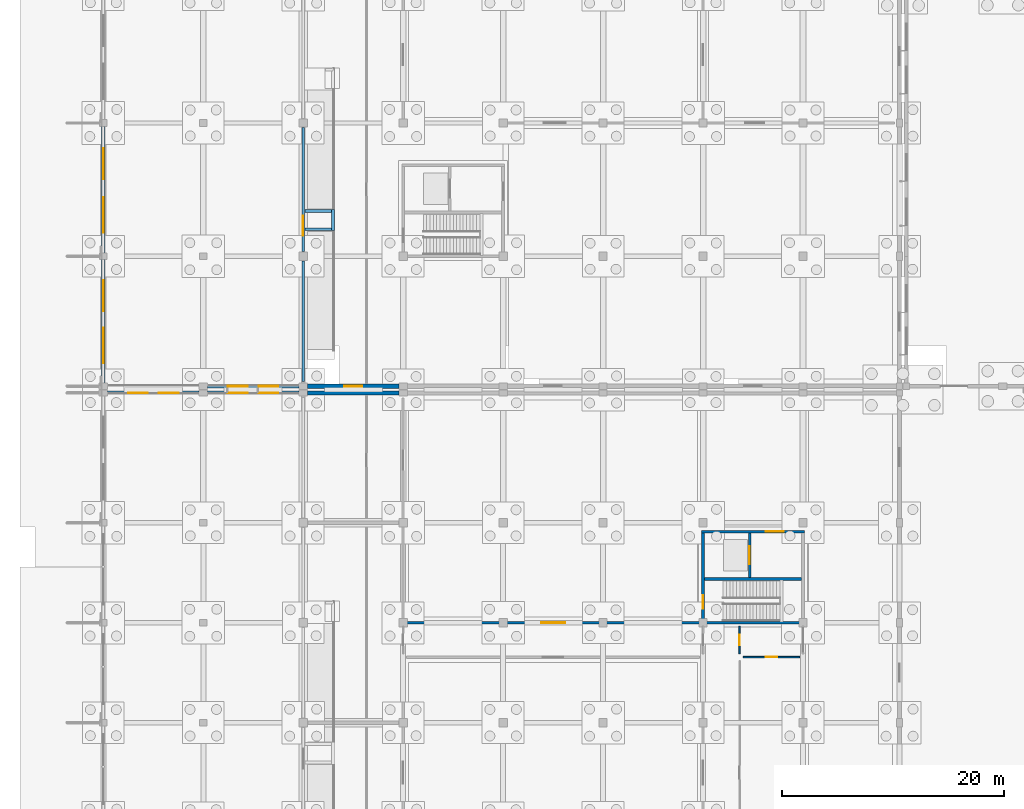
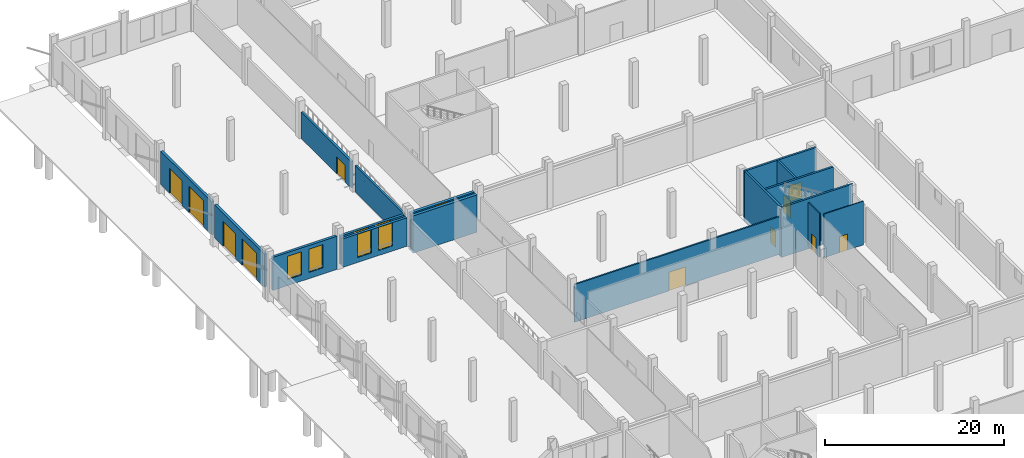
# One storey, part 61 of 99: 20 walls, 11 doors, 7 windows, 18 openings.
"""IFC4 building model written with IfcOpenShell, lengths in metres."""

from ifc_helpers import new_model, si_unit, direction, frame, frame_2d, origin, place, context, subcontext, project, spatial, rectangle, extrude, material, layer, layer_set, type_object, element, fill, save


model = new_model("IFC4")

# Units and contexts
model_context = context("Model", 3, precision=1e-05, world=origin(), true_north=direction((0.0, 1.0)))
body_context = subcontext(model_context, "Body", "Model", "MODEL_VIEW")
ifc_project = project(units=[si_unit("LENGTHUNIT", "METRE"), si_unit("AREAUNIT", "SQUARE_METRE"), si_unit("VOLUMEUNIT", "CUBIC_METRE"), si_unit("PLANEANGLEUNIT", "RADIAN"), si_unit("MASSUNIT", "GRAM", prefix="KILO")], contexts=[model_context])

# Site, building, storey
site_placement = place(None, origin())
site = spatial("IfcSite", under=ifc_project, at=site_placement, CompositionType="ELEMENT")
building_placement = place(site_placement, origin())
building = spatial("IfcBuilding", under=site, at=building_placement, Name="Zacnel Wholesale Market", CompositionType="ELEMENT")
storey_placement = place(building_placement, origin())
storey = spatial("IfcBuildingStorey", under=building, at=storey_placement, Name="L01", CompositionType="ELEMENT", Elevation=0.0)

# Wall, opening, door
ifc_material_1 = material(Name="PIR insulated cold-store panel")
ifc_layer_1 = layer(ifc_material_1, 0.195068359375)
ifc_layer_set_1 = layer_set([ifc_layer_1], Name="PIR insulated cold-store panel")
wall_type_1 = type_object("IfcWallType", Name="WL-COLD-INT195", PredefinedType="STANDARD", material=ifc_layer_set_1)
wall_1_placement = place(storey_placement, frame((27.300048828125, 75.0, 0.0), z_axis=(0.0, 0.0, 1.0), x_axis=(1.0, 0.0, 0.0)))
wall_1 = element("IfcWall", 1, at=wall_1_placement, inside=storey, type_object=wall_type_1, Name="Interior partition L01-0008", PredefinedType="STANDARD", context=body_context, shape_type="SweptSolid", body=[
    extrude(rectangle(XDim=26.39990234375, YDim=0.195068359375, at=frame_2d((13.199951171875, 0.0))), origin(), (0.0, 0.0, 1.0), 5.1298828125),
])
opening_1_placement = place(wall_1_placement, frame((12.125, 0.0, 0.0)))
opening_1 = element("IfcOpeningElement", 2, at=opening_1_placement, cuts=wall_1, Name="Opening CD-04", PredefinedType="OPENING", context=body_context, shape_type="SweptSolid", body=[
    extrude(rectangle(XDim=2.14990234375, YDim=2.550048828125, at=frame_2d((1.074951171875, 1.27490234375))), frame((0.0, 0.107421875, 0.0), z_axis=(0.0, -1.0, 0.0), x_axis=(1.0, 0.0, 0.0)), (0.0, 0.0, 1.0), 0.215087890625),
])
ifc_material_2 = material(Name="Galvanized steel", Category="steel")
door_type_1 = type_object("IfcDoorType", Name="DR-COLD-SLIDE-2150", OperationType="NOTDEFINED", PredefinedType="DOOR", material=ifc_material_2)
door_1_placement = place(opening_1_placement, origin())
door_1 = element("IfcDoor", 3, at=door_1_placement, inside=storey, type_object=door_type_1, Name="Interior door L01-0008", OperationType="SLIDING_TO_LEFT", OverallHeight=2.550048828125, OverallWidth=2.14990234375, PredefinedType="DOOR", context=body_context, shape_type="SweptSolid", body=[
    extrude(rectangle(XDim=2.14990234375, YDim=2.550048828125, at=frame_2d((1.074951171875, 1.27490234375))), frame((0.0, 0.02490234375, 0.0), z_axis=(0.0, -1.0, 0.0), x_axis=(1.0, 0.0, 0.0)), (0.0, 0.0, 1.0), 0.050048828125),
])
fill(opening_1, door_1)

# Wall
ifc_material_3 = material(Name="Concrete C40/50", Category="concrete")
ifc_layer_2 = layer(ifc_material_3, 0.2548828125)
ifc_layer_set_2 = layer_set([ifc_layer_2], Name="Concrete C40/50")
wall_type_2 = type_object("IfcWallType", Name="WL-COMP-FW250", PredefinedType="STANDARD", material=ifc_layer_set_2)
wall_2_placement = place(storey_placement, frame((18.0, 96.719970703125, 1.22509765625), z_axis=(0.0, 0.0, 1.0), x_axis=(0.0, 1.0, 0.0)))
element("IfcWall", 4, at=wall_2_placement, inside=storey, type_object=wall_type_2, Name="EI-120 fire compartment barrier wall 11", PredefinedType="STANDARD", context=body_context, shape_type="SweptSolid", body=[
    extrude(rectangle(XDim=10.860107421875, YDim=0.2548828125, at=frame_2d((5.43017578125, 0.0))), origin(), (0.0, 0.0, 1.0), 3.60498046875),
])

# Wall, opening, door
wall_3_placement = place(storey_placement, frame((18.0, 108.419921875, 1.22509765625), z_axis=(0.0, 0.0, 1.0), x_axis=(0.0, 1.0, 0.0)))
wall_3 = element("IfcWall", 5, at=wall_3_placement, inside=storey, type_object=wall_type_2, Name="EI-120 fire compartment barrier wall 12", PredefinedType="STANDARD", context=body_context, shape_type="SweptSolid", body=[
    extrude(rectangle(XDim=11.16015625, YDim=0.2548828125, at=frame_2d((5.580078125, 0.0))), origin(), (0.0, 0.0, 1.0), 3.60498046875),
])
opening_2_placement = place(wall_3_placement, frame((1.429931640625, 0.0, 0.0)))
opening_2 = element("IfcOpeningElement", 6, at=opening_2_placement, cuts=wall_3, Name="Opening FD-03", PredefinedType="OPENING", context=body_context, shape_type="SweptSolid", body=[
    extrude(rectangle(XDim=1.800048828125, YDim=2.300048828125, at=frame_2d((0.89990234375, 1.14990234375))), frame((0.0, 0.137451171875, 0.0), z_axis=(0.0, -1.0, 0.0), x_axis=(1.0, 0.0, 0.0)), (0.0, 0.0, 1.0), 0.27490234375),
])
ifc_material_4 = material(Name="Galvanized steel", Category="steel")
door_type_2 = type_object("IfcDoorType", Name="DR-FIRE-COMP-1800", OperationType="NOTDEFINED", PredefinedType="DOOR", material=ifc_material_4)
door_2_placement = place(opening_2_placement, origin())
door_2 = element("IfcDoor", 7, at=door_2_placement, inside=storey, type_object=door_type_2, Name="Cold-chain dock airlock fire door 12", OperationType="SINGLE_SWING_LEFT", OverallHeight=2.300048828125, OverallWidth=1.800048828125, PredefinedType="DOOR", context=body_context, shape_type="SweptSolid", body=[
    extrude(rectangle(XDim=1.800048828125, YDim=2.300048828125, at=frame_2d((0.89990234375, 1.14990234375))), frame((0.0, 0.02490234375, 0.0), z_axis=(0.0, -1.0, 0.0), x_axis=(1.0, 0.0, 0.0)), (0.0, 0.0, 1.0), 0.050048828125),
])
fill(opening_2, door_2)

# Wall
ifc_material_5 = material(Name="Concrete C40/50", Category="concrete")
ifc_layer_3 = layer(ifc_material_5, 0.25)
ifc_layer_set_3 = layer_set([ifc_layer_3], Name="Concrete C40/50")
wall_type_3 = type_object("IfcWallType", Name="WL-CORE-SW250", PredefinedType="SOLIDWALL", material=ifc_layer_set_3)
wall_4_placement = place(storey_placement, frame((53.875, 75.0, -0.5), z_axis=(0.0, 0.0, 1.0), x_axis=(1.0, 0.0, 0.0)))
element("IfcWall", 8, at=wall_4_placement, inside=storey, type_object=wall_type_3, Name="Core C4 south shear wall L01", PredefinedType="SOLIDWALL", context=body_context, shape_type="SweptSolid", body=[
    extrude(rectangle(XDim=9.25, YDim=0.25, at=frame_2d((4.625, 0.0))), origin(), (0.0, 0.0, 1.0), 6.800048828125),
])

# Wall, opening, door
wall_5_placement = place(storey_placement, frame((53.875, 83.199951171875, -0.5), z_axis=(0.0, 0.0, 1.0), x_axis=(1.0, 0.0, 0.0)))
wall_5 = element("IfcWall", 9, at=wall_5_placement, inside=storey, type_object=wall_type_3, Name="Core C4 north shear wall L01", PredefinedType="SOLIDWALL", context=body_context, shape_type="SweptSolid", body=[
    extrude(rectangle(XDim=9.25, YDim=0.25, at=frame_2d((4.625, 0.0))), origin(), (0.0, 0.0, 1.0), 6.800048828125),
])
opening_3_placement = place(wall_5_placement, frame((5.77490234375, 0.0, 0.5)))
opening_3 = element("IfcOpeningElement", 10, at=opening_3_placement, cuts=wall_5, Name="Opening FD-02", PredefinedType="OPENING", context=body_context, shape_type="SweptSolid", body=[
    extrude(rectangle(XDim=1.60009765625, YDim=2.199951171875, at=frame_2d((0.800048828125, 1.10009765625))), frame((0.0, 0.135009765625, 0.0), z_axis=(0.0, -1.0, 0.0), x_axis=(1.0, 0.0, 0.0)), (0.0, 0.0, 1.0), 0.27001953125),
])
ifc_material_6 = material(Name="Galvanized steel", Category="steel")
door_type_3 = type_object("IfcDoorType", Name="DR-FIRE-LOBBY-1600", OperationType="NOTDEFINED", PredefinedType="DOOR", material=ifc_material_6)
door_3_placement = place(opening_3_placement, origin())
door_3 = element("IfcDoor", 11, at=door_3_placement, inside=storey, type_object=door_type_3, Name="Core lift lobby fire door C4 L01", OperationType="SINGLE_SWING_RIGHT", OverallHeight=2.199951171875, OverallWidth=1.60009765625, PredefinedType="DOOR", context=body_context, shape_type="SweptSolid", body=[
    extrude(rectangle(XDim=1.60009765625, YDim=2.199951171875, at=frame_2d((0.800048828125, 1.10009765625))), frame((0.0, 0.02490234375, 0.0), z_axis=(0.0, -1.0, 0.0), x_axis=(1.0, 0.0, 0.0)), (0.0, 0.0, 1.0), 0.050048828125),
])
fill(opening_3, door_3)

wall_6_placement = place(storey_placement, frame((54.0, 75.125, -0.5), z_axis=(0.0, 0.0, 1.0), x_axis=(0.0, 1.0, 0.0)))
wall_6 = element("IfcWall", 12, at=wall_6_placement, inside=storey, type_object=wall_type_3, Name="Core C4 west shear wall L01", PredefinedType="SOLIDWALL", context=body_context, shape_type="SweptSolid", body=[
    extrude(rectangle(XDim=7.949951171875, YDim=0.25, at=frame_2d((3.97509765625, 0.0))), origin(), (0.0, 0.0, 1.0), 6.800048828125),
])
opening_4_placement = place(wall_6_placement, frame((1.14990234375, 0.0, 0.5)))
opening_4 = element("IfcOpeningElement", 13, at=opening_4_placement, cuts=wall_6, Name="Opening FD-01", PredefinedType="OPENING", context=body_context, shape_type="SweptSolid", body=[
    extrude(rectangle(XDim=1.199951171875, YDim=2.199951171875, at=frame_2d((0.60009765625, 1.10009765625))), frame((0.0, 0.135009765625, 0.0), z_axis=(0.0, -1.0, 0.0), x_axis=(1.0, 0.0, 0.0)), (0.0, 0.0, 1.0), 0.27001953125),
])
ifc_material_7 = material(Name="Galvanized steel", Category="steel")
door_type_4 = type_object("IfcDoorType", Name="DR-FIRE-STAIR-1200", OperationType="NOTDEFINED", PredefinedType="DOOR", material=ifc_material_7)
door_4_placement = place(opening_4_placement, origin())
door_4 = element("IfcDoor", 14, at=door_4_placement, inside=storey, type_object=door_type_4, Name="Protected stair fire door C4 L01", OperationType="SINGLE_SWING_LEFT", OverallHeight=2.199951171875, OverallWidth=1.199951171875, PredefinedType="DOOR", context=body_context, shape_type="SweptSolid", body=[
    extrude(rectangle(XDim=1.199951171875, YDim=2.199951171875, at=frame_2d((0.60009765625, 1.10009765625))), frame((0.0, 0.02490234375, 0.0), z_axis=(0.0, -1.0, 0.0), x_axis=(1.0, 0.0, 0.0)), (0.0, 0.0, 1.0), 0.050048828125),
])
fill(opening_4, door_4)

# Wall
wall_7_placement = place(storey_placement, frame((54.125, 78.949951171875, -0.5), z_axis=(0.0, 0.0, 1.0), x_axis=(1.0, 0.0, 0.0)))
element("IfcWall", 15, at=wall_7_placement, inside=storey, type_object=wall_type_3, Name="Core C4 stair-shaft shear wall L01", PredefinedType="SOLIDWALL", context=body_context, shape_type="SweptSolid", body=[
    extrude(rectangle(XDim=8.75, YDim=0.25, at=frame_2d((4.375, 0.0))), origin(), (0.0, 0.0, 1.0), 6.800048828125),
])

# Wall, opening, door
wall_8_placement = place(storey_placement, frame((58.199951171875, 79.074951171875, -0.5), z_axis=(0.0, 0.0, 1.0), x_axis=(0.0, 1.0, 0.0)))
wall_8 = element("IfcWall", 16, at=wall_8_placement, inside=storey, type_object=wall_type_3, Name="Core C4 lift shaft front wall L01", PredefinedType="SOLIDWALL", context=body_context, shape_type="SweptSolid", body=[
    extrude(rectangle(XDim=4.0, YDim=0.25, at=frame_2d((2.0, 0.0))), origin(), (0.0, 0.0, 1.0), 6.800048828125),
])
opening_5_placement = place(wall_8_placement, frame((1.199951171875, 0.0, 0.5)))
opening_5 = element("IfcOpeningElement", 17, at=opening_5_placement, cuts=wall_8, Name="Opening LD-02", PredefinedType="OPENING", context=body_context, shape_type="SweptSolid", body=[
    extrude(rectangle(XDim=1.60009765625, YDim=2.39990234375, at=frame_2d((0.800048828125, 1.199951171875))), frame((0.0, 0.135009765625, 0.0), z_axis=(0.0, -1.0, 0.0), x_axis=(1.0, 0.0, 0.0)), (0.0, 0.0, 1.0), 0.27001953125),
])
ifc_material_8 = material(Name="Galvanized steel", Category="steel")
door_type_5 = type_object("IfcDoorType", Name="DR-LIFT-GOODS-1600", OperationType="NOTDEFINED", PredefinedType="DOOR", material=ifc_material_8)
door_5_placement = place(opening_5_placement, origin())
door_5 = element("IfcDoor", 18, at=door_5_placement, inside=storey, type_object=door_type_5, Name="Lift landing door LG-02 L01", OperationType="SLIDING_TO_LEFT", OverallHeight=2.39990234375, OverallWidth=1.60009765625, PredefinedType="DOOR", context=body_context, shape_type="SweptSolid", body=[
    extrude(rectangle(XDim=1.60009765625, YDim=2.39990234375, at=frame_2d((0.800048828125, 1.199951171875))), frame((0.0, 0.02490234375, 0.0), z_axis=(0.0, -1.0, 0.0), x_axis=(1.0, 0.0, 0.0)), (0.0, 0.0, 1.0), 0.050048828125),
])
fill(opening_5, door_5)

# Walls
wall_9_placement = place(storey_placement, frame((20.675048828125, 110.300048828125, 0.0), z_axis=(0.0, 0.0, 1.0), x_axis=(0.0, 1.0, 0.0)))
element("IfcWall", 19, at=wall_9_placement, inside=storey, type_object=wall_type_3, Name="Accessible ramp RP-01 (RMP-DOCK-N) mid-landing bearing kerb E", PredefinedType="SOLIDWALL", context=body_context, shape_type="SweptSolid", body=[
    extrude(rectangle(XDim=1.89990234375, YDim=0.25, at=frame_2d((0.949951171875, 0.0))), origin(), (0.0, 0.0, 1.0), 0.02490234375),
])
for number, where, z_axis, x_axis, name in (
    (20, (18.14990234375, 110.425048828125, 0.0), (0.0, 0.0, 1.0), (1.0, 0.0, 0.0), "Accessible ramp RP-01 (RMP-DOCK-N) mid-landing bearing kerb S"),
    (21, (18.14990234375, 112.074951171875, 0.0), (0.0, 0.0, 1.0), (1.0, 0.0, 0.0), "Accessible ramp RP-01 (RMP-DOCK-N) mid-landing bearing kerb N"),
):
    element("IfcWall", number, at=place(storey_placement, frame(where, z_axis=z_axis, x_axis=x_axis)), inside=storey, type_object=wall_type_3, Name=name, PredefinedType="SOLIDWALL", context=body_context, shape_type="SweptSolid", body=[
        extrude(rectangle(XDim=2.400146484375, YDim=0.25, at=frame_2d((1.2001953125, 0.0))), origin(), (0.0, 0.0, 1.0), 0.02490234375),
    ])

# Wall, openings, windows
ifc_material_9 = material(Name="Precast concrete C40/50 (insulated sandwich panel)", Category="concrete")
ifc_layer_4 = layer(ifc_material_9, 0.320068359375)
ifc_layer_set_4 = layer_set([ifc_layer_4], Name="Precast concrete C40/50 (insulated sandwich panel)")
wall_type_4 = type_object("IfcWallType", Name="WL-EXT-COLD-320", PredefinedType="SOLIDWALL", material=ifc_layer_set_4)
wall_10_placement = place(storey_placement, frame((0.375, 95.699951171875, 1.22509765625), z_axis=(0.0, 0.0, 1.0), x_axis=(1.0, 0.0, 0.0)))
wall_10 = element("IfcWall", 22, at=wall_10_placement, inside=storey, type_object=wall_type_4, Name="Exterior wall L01-0008", PredefinedType="SOLIDWALL", context=body_context, shape_type="SweptSolid", body=[
    extrude(rectangle(XDim=8.25, YDim=0.320068359375, at=frame_2d((4.125, 0.0))), origin(), (0.0, 0.0, 1.0), 4.514892578125),
])
opening_6_placement = place(wall_10_placement, frame((1.85009765625, 0.0, 0.85009765625)))
opening_6 = element("IfcOpeningElement", 23, at=opening_6_placement, cuts=wall_10, Name="Opening W-03", PredefinedType="OPENING", context=body_context, shape_type="SweptSolid", body=[
    extrude(rectangle(XDim=1.800048828125, YDim=3.14990234375, at=frame_2d((0.89990234375, 1.574951171875))), frame((0.0, 0.169921875, 0.0), z_axis=(0.0, -1.0, 0.0), x_axis=(1.0, 0.0, 0.0)), (0.0, 0.0, 1.0), 0.340087890625),
])
opening_7_placement = place(wall_10_placement, frame((4.60009765625, 0.0, 0.85009765625)))
opening_7 = element("IfcOpeningElement", 24, at=opening_7_placement, cuts=wall_10, Name="Opening W-03", PredefinedType="OPENING", context=body_context, shape_type="SweptSolid", body=[
    extrude(rectangle(XDim=1.800048828125, YDim=3.14990234375, at=frame_2d((0.89990234375, 1.574951171875))), frame((0.0, 0.169921875, 0.0), z_axis=(0.0, -1.0, 0.0), x_axis=(1.0, 0.0, 0.0)), (0.0, 0.0, 1.0), 0.340087890625),
])
ifc_material_10 = material(Name="Laminated hurricane-impact low-E insulated glass", Category="glass")
window_type_1 = type_object("IfcWindowType", Name="WIN-DEC-1800X3150", PartitioningType="DOUBLE_PANEL_VERTICAL", PredefinedType="WINDOW", material=ifc_material_10)
window_1_placement = place(opening_6_placement, origin())
window_1 = element("IfcWindow", 25, at=window_1_placement, inside=storey, type_object=window_type_1, Name="Window L01-0009", OverallHeight=3.14990234375, OverallWidth=1.800048828125, PartitioningType="DOUBLE_PANEL_VERTICAL", PredefinedType="WINDOW", context=body_context, shape_type="SweptSolid", body=[
    extrude(rectangle(XDim=1.800048828125, YDim=3.14990234375, at=frame_2d((0.89990234375, 1.574951171875))), frame((0.0, 0.030029296875, 0.0), z_axis=(0.0, -1.0, 0.0), x_axis=(1.0, 0.0, 0.0)), (0.0, 0.0, 1.0), 0.06005859375),
])
fill(opening_6, window_1)
window_2_placement = place(opening_7_placement, origin())
window_2 = element("IfcWindow", 26, at=window_2_placement, inside=storey, type_object=window_type_1, Name="Window L01-0010", OverallHeight=3.14990234375, OverallWidth=1.800048828125, PartitioningType="DOUBLE_PANEL_VERTICAL", PredefinedType="WINDOW", context=body_context, shape_type="SweptSolid", body=[
    extrude(rectangle(XDim=1.800048828125, YDim=3.14990234375, at=frame_2d((0.89990234375, 1.574951171875))), frame((0.0, 0.030029296875, 0.0), z_axis=(0.0, -1.0, 0.0), x_axis=(1.0, 0.0, 0.0)), (0.0, 0.0, 1.0), 0.06005859375),
])
fill(opening_7, window_2)

wall_11_placement = place(storey_placement, frame((9.375, 95.699951171875, 1.22509765625), z_axis=(0.0, 0.0, 1.0), x_axis=(1.0, 0.0, 0.0)))
wall_11 = element("IfcWall", 27, at=wall_11_placement, inside=storey, type_object=wall_type_4, Name="Exterior wall L01-0009", PredefinedType="SOLIDWALL", context=body_context, shape_type="SweptSolid", body=[
    extrude(rectangle(XDim=8.25, YDim=0.320068359375, at=frame_2d((4.125, 0.0))), origin(), (0.0, 0.0, 1.0), 3.875),
])
opening_8_placement = place(wall_11_placement, frame((1.85009765625, 0.0, 0.68505859375)))
opening_8 = element("IfcOpeningElement", 28, at=opening_8_placement, cuts=wall_11, Name="Opening W-03", PredefinedType="OPENING", context=body_context, shape_type="SweptSolid", body=[
    extrude(rectangle(XDim=1.800048828125, YDim=3.14990234375, at=frame_2d((0.89990234375, 1.574951171875))), frame((0.0, 0.169921875, 0.0), z_axis=(0.0, -1.0, 0.0), x_axis=(1.0, 0.0, 0.0)), (0.0, 0.0, 1.0), 0.340087890625),
])
opening_9_placement = place(wall_11_placement, frame((4.60009765625, 0.0, 0.68505859375)))
opening_9 = element("IfcOpeningElement", 29, at=opening_9_placement, cuts=wall_11, Name="Opening W-03", PredefinedType="OPENING", context=body_context, shape_type="SweptSolid", body=[
    extrude(rectangle(XDim=1.800048828125, YDim=3.14990234375, at=frame_2d((0.89990234375, 1.574951171875))), frame((0.0, 0.169921875, 0.0), z_axis=(0.0, -1.0, 0.0), x_axis=(1.0, 0.0, 0.0)), (0.0, 0.0, 1.0), 0.340087890625),
])
window_3_placement = place(opening_8_placement, origin())
window_3 = element("IfcWindow", 30, at=window_3_placement, inside=storey, type_object=window_type_1, Name="Window L01-0011", OverallHeight=3.14990234375, OverallWidth=1.800048828125, PartitioningType="DOUBLE_PANEL_VERTICAL", PredefinedType="WINDOW", context=body_context, shape_type="SweptSolid", body=[
    extrude(rectangle(XDim=1.800048828125, YDim=3.14990234375, at=frame_2d((0.89990234375, 1.574951171875))), frame((0.0, 0.030029296875, 0.0), z_axis=(0.0, -1.0, 0.0), x_axis=(1.0, 0.0, 0.0)), (0.0, 0.0, 1.0), 0.06005859375),
])
fill(opening_8, window_3)
window_4_placement = place(opening_9_placement, origin())
window_4 = element("IfcWindow", 31, at=window_4_placement, inside=storey, type_object=window_type_1, Name="Window L01-0012", OverallHeight=3.14990234375, OverallWidth=1.800048828125, PartitioningType="DOUBLE_PANEL_VERTICAL", PredefinedType="WINDOW", context=body_context, shape_type="SweptSolid", body=[
    extrude(rectangle(XDim=1.800048828125, YDim=3.14990234375, at=frame_2d((0.89990234375, 1.574951171875))), frame((0.0, 0.030029296875, 0.0), z_axis=(0.0, -1.0, 0.0), x_axis=(1.0, 0.0, 0.0)), (0.0, 0.0, 1.0), 0.06005859375),
])
fill(opening_9, window_4)

wall_12_placement = place(storey_placement, frame((9.375, 96.300048828125, 1.22509765625), z_axis=(0.0, 0.0, 1.0), x_axis=(1.0, 0.0, 0.0)))
wall_12 = element("IfcWall", 32, at=wall_12_placement, inside=storey, type_object=wall_type_4, Name="Exterior wall L01-0015", PredefinedType="SOLIDWALL", context=body_context, shape_type="SweptSolid", body=[
    extrude(rectangle(XDim=8.25, YDim=0.320068359375, at=frame_2d((4.125, 0.0))), origin(), (0.0, 0.0, 1.0), 3.875),
])
opening_10_placement = place(wall_12_placement, frame((1.85009765625, 0.0, 0.68505859375)))
opening_10 = element("IfcOpeningElement", 33, at=opening_10_placement, cuts=wall_12, Name="Opening W-03", PredefinedType="OPENING", context=body_context, shape_type="SweptSolid", body=[
    extrude(rectangle(XDim=1.800048828125, YDim=3.14990234375, at=frame_2d((0.89990234375, 1.574951171875))), frame((0.0, 0.169921875, 0.0), z_axis=(0.0, -1.0, 0.0), x_axis=(1.0, 0.0, 0.0)), (0.0, 0.0, 1.0), 0.340087890625),
])
opening_11_placement = place(wall_12_placement, frame((4.60009765625, 0.0, 0.68505859375)))
opening_11 = element("IfcOpeningElement", 34, at=opening_11_placement, cuts=wall_12, Name="Opening W-03", PredefinedType="OPENING", context=body_context, shape_type="SweptSolid", body=[
    extrude(rectangle(XDim=1.800048828125, YDim=3.14990234375, at=frame_2d((0.89990234375, 1.574951171875))), frame((0.0, 0.169921875, 0.0), z_axis=(0.0, -1.0, 0.0), x_axis=(1.0, 0.0, 0.0)), (0.0, 0.0, 1.0), 0.340087890625),
])
window_5_placement = place(opening_10_placement, origin())
window_5 = element("IfcWindow", 35, at=window_5_placement, inside=storey, type_object=window_type_1, Name="Window L01-0013", OverallHeight=3.14990234375, OverallWidth=1.800048828125, PartitioningType="DOUBLE_PANEL_VERTICAL", PredefinedType="WINDOW", context=body_context, shape_type="SweptSolid", body=[
    extrude(rectangle(XDim=1.800048828125, YDim=3.14990234375, at=frame_2d((0.89990234375, 1.574951171875))), frame((0.0, 0.030029296875, 0.0), z_axis=(0.0, -1.0, 0.0), x_axis=(1.0, 0.0, 0.0)), (0.0, 0.0, 1.0), 0.06005859375),
])
fill(opening_10, window_5)
window_6_placement = place(opening_11_placement, origin())
window_6 = element("IfcWindow", 36, at=window_6_placement, inside=storey, type_object=window_type_1, Name="Window L01-0014", OverallHeight=3.14990234375, OverallWidth=1.800048828125, PartitioningType="DOUBLE_PANEL_VERTICAL", PredefinedType="WINDOW", context=body_context, shape_type="SweptSolid", body=[
    extrude(rectangle(XDim=1.800048828125, YDim=3.14990234375, at=frame_2d((0.89990234375, 1.574951171875))), frame((0.0, 0.030029296875, 0.0), z_axis=(0.0, -1.0, 0.0), x_axis=(1.0, 0.0, 0.0)), (0.0, 0.0, 1.0), 0.06005859375),
])
fill(opening_11, window_6)

# Wall, openings, doors
wall_13_placement = place(storey_placement, frame((0.0, 96.574951171875, 1.22509765625), z_axis=(0.0, 0.0, 1.0), x_axis=(0.0, 1.0, 0.0)))
wall_13 = element("IfcWall", 37, at=wall_13_placement, inside=storey, type_object=wall_type_4, Name="Exterior wall L01-0018", PredefinedType="SOLIDWALL", context=body_context, shape_type="SweptSolid", body=[
    extrude(rectangle(XDim=11.125, YDim=0.320068359375, at=frame_2d((5.5625, 0.0))), origin(), (0.0, 0.0, 1.0), 4.514892578125),
])
opening_12_placement = place(wall_13_placement, frame((1.780029296875, 0.0, 0.0)))
opening_12 = element("IfcOpeningElement", 38, at=opening_12_placement, cuts=wall_13, Name="Opening GD-320", PredefinedType="OPENING", context=body_context, shape_type="SweptSolid", body=[
    extrude(rectangle(XDim=3.199951171875, YDim=3.60009765625, at=frame_2d((1.60009765625, 1.800048828125))), frame((0.0, 0.169921875, 0.0), z_axis=(0.0, -1.0, 0.0), x_axis=(1.0, 0.0, 0.0)), (0.0, 0.0, 1.0), 0.340087890625),
])
opening_13_placement = place(wall_13_placement, frame((6.451904296875, 0.0, 0.0)))
opening_13 = element("IfcOpeningElement", 39, at=opening_13_placement, cuts=wall_13, Name="Opening GD-280", PredefinedType="OPENING", context=body_context, shape_type="SweptSolid", body=[
    extrude(rectangle(XDim=2.800048828125, YDim=3.39990234375, at=frame_2d((1.39990234375, 1.699951171875))), frame((0.0, 0.169921875, 0.0), z_axis=(0.0, -1.0, 0.0), x_axis=(1.0, 0.0, 0.0)), (0.0, 0.0, 1.0), 0.340087890625),
])
ifc_material_11 = material(Name="Galvanized steel S355", Category="steel")
door_type_6 = type_object("IfcDoorType", Name="DR-DOCK-ROLL-2800", OperationType="NOTDEFINED", PredefinedType="GATE", material=ifc_material_11)
door_6_placement = place(opening_13_placement, origin())
door_6 = element("IfcDoor", 40, at=door_6_placement, inside=storey, type_object=door_type_6, Name="Loading dock shutter 15", OperationType="ROLLINGUP", OverallHeight=3.39990234375, OverallWidth=2.800048828125, PredefinedType="GATE", context=body_context, shape_type="SweptSolid", body=[
    extrude(rectangle(XDim=2.800048828125, YDim=3.39990234375, at=frame_2d((1.39990234375, 1.699951171875))), frame((0.0, 0.02490234375, 0.0), z_axis=(0.0, -1.0, 0.0), x_axis=(1.0, 0.0, 0.0)), (0.0, 0.0, 1.0), 0.050048828125),
])
fill(opening_13, door_6)
ifc_material_12 = material(Name="Galvanized steel S355", Category="steel")
door_type_7 = type_object("IfcDoorType", Name="DR-DOCK-ROLL-3200", OperationType="NOTDEFINED", PredefinedType="GATE", material=ifc_material_12)
door_7_placement = place(opening_12_placement, origin())
door_7 = element("IfcDoor", 41, at=door_7_placement, inside=storey, type_object=door_type_7, Name="Loading dock shutter 14", OperationType="ROLLINGUP", OverallHeight=3.60009765625, OverallWidth=3.199951171875, PredefinedType="GATE", context=body_context, shape_type="SweptSolid", body=[
    extrude(rectangle(XDim=3.199951171875, YDim=3.60009765625, at=frame_2d((1.60009765625, 1.800048828125))), frame((0.0, 0.02490234375, 0.0), z_axis=(0.0, -1.0, 0.0), x_axis=(1.0, 0.0, 0.0)), (0.0, 0.0, 1.0), 0.050048828125),
])
fill(opening_12, door_7)

wall_14_placement = place(storey_placement, frame((0.0, 108.300048828125, 1.22509765625), z_axis=(0.0, 0.0, 1.0), x_axis=(0.0, 1.0, 0.0)))
wall_14 = element("IfcWall", 42, at=wall_14_placement, inside=storey, type_object=wall_type_4, Name="Exterior wall L01-0019", PredefinedType="SOLIDWALL", context=body_context, shape_type="SweptSolid", body=[
    extrude(rectangle(XDim=11.39990234375, YDim=0.320068359375, at=frame_2d((5.699951171875, 0.0))), origin(), (0.0, 0.0, 1.0), 4.514892578125),
])
opening_14_placement = place(wall_14_placement, frame((1.823974609375, 0.0, 0.0)))
opening_14 = element("IfcOpeningElement", 43, at=opening_14_placement, cuts=wall_14, Name="Opening GD-320", PredefinedType="OPENING", context=body_context, shape_type="SweptSolid", body=[
    extrude(rectangle(XDim=3.199951171875, YDim=3.60009765625, at=frame_2d((1.60009765625, 1.800048828125))), frame((0.0, 0.169921875, 0.0), z_axis=(0.0, -1.0, 0.0), x_axis=(1.0, 0.0, 0.0)), (0.0, 0.0, 1.0), 0.340087890625),
])
opening_15_placement = place(wall_14_placement, frame((6.612060546875, 0.0, 0.0)))
opening_15 = element("IfcOpeningElement", 44, at=opening_15_placement, cuts=wall_14, Name="Opening GD-280", PredefinedType="OPENING", context=body_context, shape_type="SweptSolid", body=[
    extrude(rectangle(XDim=2.800048828125, YDim=3.39990234375, at=frame_2d((1.39990234375, 1.699951171875))), frame((0.0, 0.169921875, 0.0), z_axis=(0.0, -1.0, 0.0), x_axis=(1.0, 0.0, 0.0)), (0.0, 0.0, 1.0), 0.340087890625),
])
door_8_placement = place(opening_15_placement, origin())
door_8 = element("IfcDoor", 45, at=door_8_placement, inside=storey, type_object=door_type_6, Name="Loading dock shutter 17", OperationType="ROLLINGUP", OverallHeight=3.39990234375, OverallWidth=2.800048828125, PredefinedType="GATE", context=body_context, shape_type="SweptSolid", body=[
    extrude(rectangle(XDim=2.800048828125, YDim=3.39990234375, at=frame_2d((1.39990234375, 1.699951171875))), frame((0.0, 0.02490234375, 0.0), z_axis=(0.0, -1.0, 0.0), x_axis=(1.0, 0.0, 0.0)), (0.0, 0.0, 1.0), 0.050048828125),
])
fill(opening_15, door_8)
door_9_placement = place(opening_14_placement, origin())
door_9 = element("IfcDoor", 46, at=door_9_placement, inside=storey, type_object=door_type_7, Name="Loading dock shutter 16", OperationType="ROLLINGUP", OverallHeight=3.60009765625, OverallWidth=3.199951171875, PredefinedType="GATE", context=body_context, shape_type="SweptSolid", body=[
    extrude(rectangle(XDim=3.199951171875, YDim=3.60009765625, at=frame_2d((1.60009765625, 1.800048828125))), frame((0.0, 0.02490234375, 0.0), z_axis=(0.0, -1.0, 0.0), x_axis=(1.0, 0.0, 0.0)), (0.0, 0.0, 1.0), 0.050048828125),
])
fill(opening_14, door_9)

# Wall
ifc_material_13 = material(Name="Precast concrete C40/50 (insulated sandwich panel)", Category="concrete")
ifc_layer_5 = layer(ifc_material_13, 0.3798828125)
ifc_layer_set_5 = layer_set([ifc_layer_5], Name="Precast concrete C40/50 (insulated sandwich panel)")
wall_type_5 = type_object("IfcWallType", Name="WL-EXT-COLD-380", PredefinedType="SOLIDWALL", material=ifc_layer_set_5)
wall_15_placement = place(storey_placement, frame((18.375, 95.699951171875, 0.0), z_axis=(0.0, 0.0, 1.0), x_axis=(1.0, 0.0, 0.0)))
element("IfcWall", 47, at=wall_15_placement, inside=storey, type_object=wall_type_5, Name="Exterior wall L01-0041", PredefinedType="SOLIDWALL", context=body_context, shape_type="SweptSolid", body=[
    extrude(rectangle(XDim=8.25, YDim=0.3798828125, at=frame_2d((4.125, 0.0))), origin(), (0.0, 0.0, 1.0), 5.080078125),
])

# Wall, opening, window
wall_16_placement = place(storey_placement, frame((18.375, 96.300048828125, 0.0), z_axis=(0.0, 0.0, 1.0), x_axis=(1.0, 0.0, 0.0)))
wall_16 = element("IfcWall", 48, at=wall_16_placement, inside=storey, type_object=wall_type_5, Name="Exterior wall L01-0052", PredefinedType="SOLIDWALL", context=body_context, shape_type="SweptSolid", body=[
    extrude(rectangle(XDim=8.25, YDim=0.3798828125, at=frame_2d((4.125, 0.0))), origin(), (0.0, 0.0, 1.0), 5.080078125),
])
opening_16_placement = place(wall_16_placement, frame((3.324951171875, 0.0, 3.590087890625)))
opening_16 = element("IfcOpeningElement", 49, at=opening_16_placement, cuts=wall_16, Name="Opening W-06", PredefinedType="OPENING", context=body_context, shape_type="SweptSolid", body=[
    extrude(rectangle(XDim=1.60009765625, YDim=1.449951171875, at=frame_2d((0.800048828125, 0.72509765625))), frame((0.0, 0.199951171875, 0.0), z_axis=(0.0, -1.0, 0.0), x_axis=(1.0, 0.0, 0.0)), (0.0, 0.0, 1.0), 0.39990234375),
])
ifc_material_14 = material(Name="Laminated hurricane-impact low-E insulated glass", Category="glass")
window_type_2 = type_object("IfcWindowType", Name="WIN-HIG-1600X1450", PartitioningType="DOUBLE_PANEL_HORIZONTAL", PredefinedType="WINDOW", material=ifc_material_14)
window_7_placement = place(opening_16_placement, origin())
window_7 = element("IfcWindow", 50, at=window_7_placement, inside=storey, type_object=window_type_2, Name="Window L01-0028", OverallHeight=1.449951171875, OverallWidth=1.60009765625, PartitioningType="DOUBLE_PANEL_HORIZONTAL", PredefinedType="WINDOW", context=body_context, shape_type="SweptSolid", body=[
    extrude(rectangle(XDim=1.60009765625, YDim=1.449951171875, at=frame_2d((0.800048828125, 0.72509765625))), frame((0.0, 0.030029296875, 0.0), z_axis=(0.0, -1.0, 0.0), x_axis=(1.0, 0.0, 0.0)), (0.0, 0.0, 1.0), 0.06005859375),
])
fill(opening_16, window_7)

# Wall, opening, door
ifc_material_15 = material(Name="Moisture-resistant gypsum board partition")
ifc_layer_6 = layer(ifc_material_15, 0.125)
ifc_layer_set_6 = layer_set([ifc_layer_6], Name="Moisture-resistant gypsum board partition")
wall_type_6 = type_object("IfcWallType", Name="WL-PART-GYP125", PredefinedType="PARTITIONING", material=ifc_layer_set_6)
wall_17_placement = place(storey_placement, frame((57.60009765625, 71.89990234375, 0.0), z_axis=(0.0, 0.0, 1.0), x_axis=(1.0, 0.0, 0.0)))
wall_17 = element("IfcWall", 51, at=wall_17_placement, inside=storey, type_object=wall_type_6, Name="Interior partition L01-0018", PredefinedType="PARTITIONING", context=body_context, shape_type="SweptSolid", body=[
    extrude(rectangle(XDim=5.099853515625, YDim=0.125, at=frame_2d((2.5498046875, 0.0))), origin(), (0.0, 0.0, 1.0), 5.949951171875),
])
opening_17_placement = place(wall_17_placement, frame((2.0400390625, 0.0, 0.0)))
opening_17 = element("IfcOpeningElement", 52, at=opening_17_placement, cuts=wall_17, Name="Opening ID-12", PredefinedType="OPENING", context=body_context, shape_type="SweptSolid", body=[
    extrude(rectangle(XDim=1.02001953125, YDim=2.179931640625, at=frame_2d((0.510009765625, 1.08984375))), frame((0.0, 0.072509765625, 0.0), z_axis=(0.0, -1.0, 0.0), x_axis=(1.0, 0.0, 0.0)), (0.0, 0.0, 1.0), 0.14501953125),
])
ifc_material_16 = material(Name="Solid-core tropical hardwood door", Category="wood")
door_type_8 = type_object("IfcDoorType", Name="DR-OFF-SGL-1020", OperationType="NOTDEFINED", PredefinedType="DOOR", material=ifc_material_16)
door_10_placement = place(opening_17_placement, origin())
door_10 = element("IfcDoor", 53, at=door_10_placement, inside=storey, type_object=door_type_8, Name="Interior door L01-0015", OperationType="SINGLE_SWING_RIGHT", OverallHeight=2.179931640625, OverallWidth=1.02001953125, PredefinedType="DOOR", context=body_context, shape_type="SweptSolid", body=[
    extrude(rectangle(XDim=1.02001953125, YDim=2.179931640625, at=frame_2d((0.510009765625, 1.08984375))), frame((0.0, 0.02490234375, 0.0), z_axis=(0.0, -1.0, 0.0), x_axis=(1.0, 0.0, 0.0)), (0.0, 0.0, 1.0), 0.050048828125),
])
fill(opening_17, door_10)

ifc_material_17 = material(Name="Moisture-resistant gypsum board partition")
ifc_layer_7 = layer(ifc_material_17, 0.139892578125)
ifc_layer_set_7 = layer_set([ifc_layer_7], Name="Moisture-resistant gypsum board partition")
wall_type_7 = type_object("IfcWallType", Name="WL-PART-GYP140", PredefinedType="PARTITIONING", material=ifc_layer_set_7)
wall_18_placement = place(storey_placement, frame((57.300048828125, 72.199951171875, 0.0), z_axis=(0.0, 0.0, 1.0), x_axis=(0.0, 1.0, 0.0)))
wall_18 = element("IfcWall", 54, at=wall_18_placement, inside=storey, type_object=wall_type_7, Name="Interior partition L01-0017", PredefinedType="PARTITIONING", context=body_context, shape_type="SweptSolid", body=[
    extrude(rectangle(XDim=2.5, YDim=0.139892578125, at=frame_2d((1.25, 0.0))), origin(), (0.0, 0.0, 1.0), 5.949951171875),
])
opening_18_placement = place(wall_18_placement, frame((0.780029296875, 0.0, 0.0)))
opening_18 = element("IfcOpeningElement", 55, at=opening_18_placement, cuts=wall_18, Name="Opening ID-11", PredefinedType="OPENING", context=body_context, shape_type="SweptSolid", body=[
    extrude(rectangle(XDim=0.93994140625, YDim=2.139892578125, at=frame_2d((0.469970703125, 1.06982421875))), frame((0.0, 0.079833984375, 0.0), z_axis=(0.0, -1.0, 0.0), x_axis=(1.0, 0.0, 0.0)), (0.0, 0.0, 1.0), 0.159912109375),
])
ifc_material_18 = material(Name="Solid-core tropical hardwood door", Category="wood")
door_type_9 = type_object("IfcDoorType", Name="DR-OFF-SGL-940", OperationType="NOTDEFINED", PredefinedType="DOOR", material=ifc_material_18)
door_11_placement = place(opening_18_placement, origin())
door_11 = element("IfcDoor", 56, at=door_11_placement, inside=storey, type_object=door_type_9, Name="Interior door L01-0014", OperationType="SINGLE_SWING_LEFT", OverallHeight=2.139892578125, OverallWidth=0.93994140625, PredefinedType="DOOR", context=body_context, shape_type="SweptSolid", body=[
    extrude(rectangle(XDim=0.93994140625, YDim=2.139892578125, at=frame_2d((0.469970703125, 1.06982421875))), frame((0.0, 0.02490234375, 0.0), z_axis=(0.0, -1.0, 0.0), x_axis=(1.0, 0.0, 0.0)), (0.0, 0.0, 1.0), 0.050048828125),
])
fill(opening_18, door_11)

save(model, "model.ifc")
